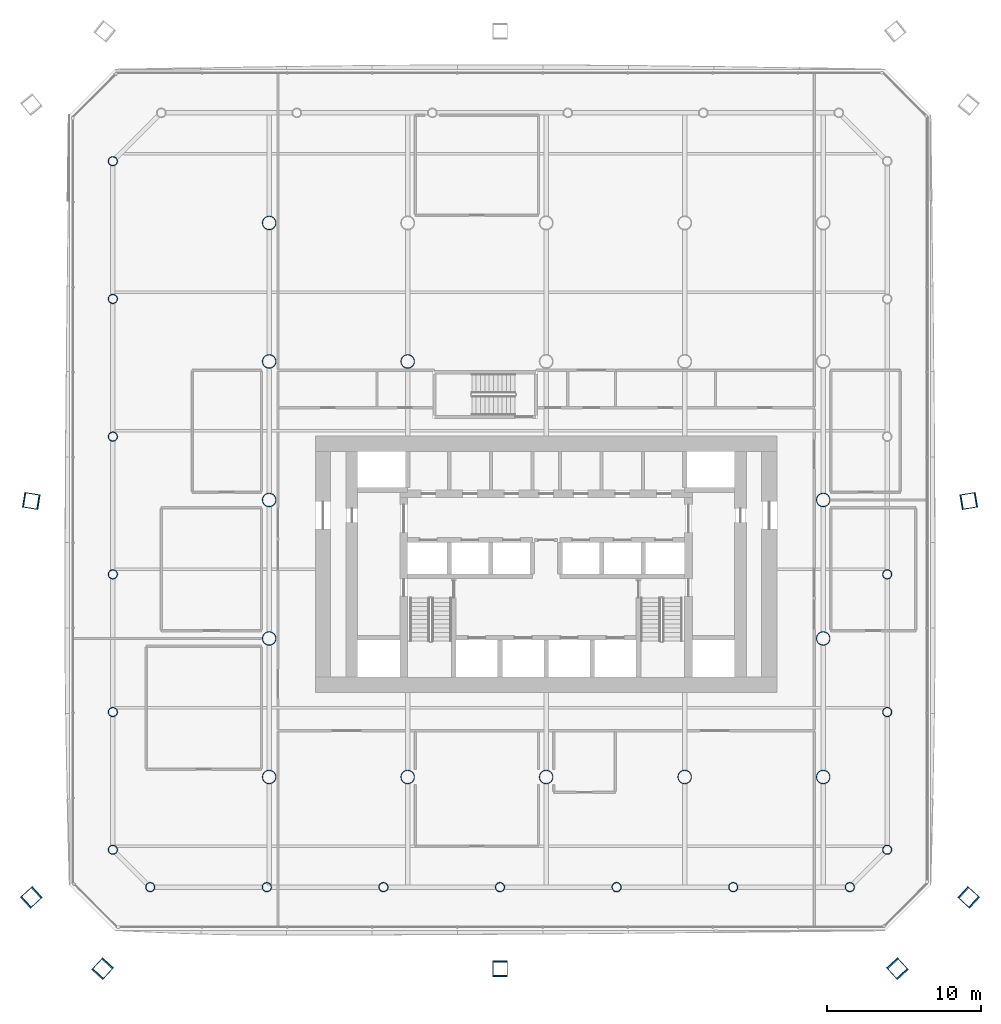
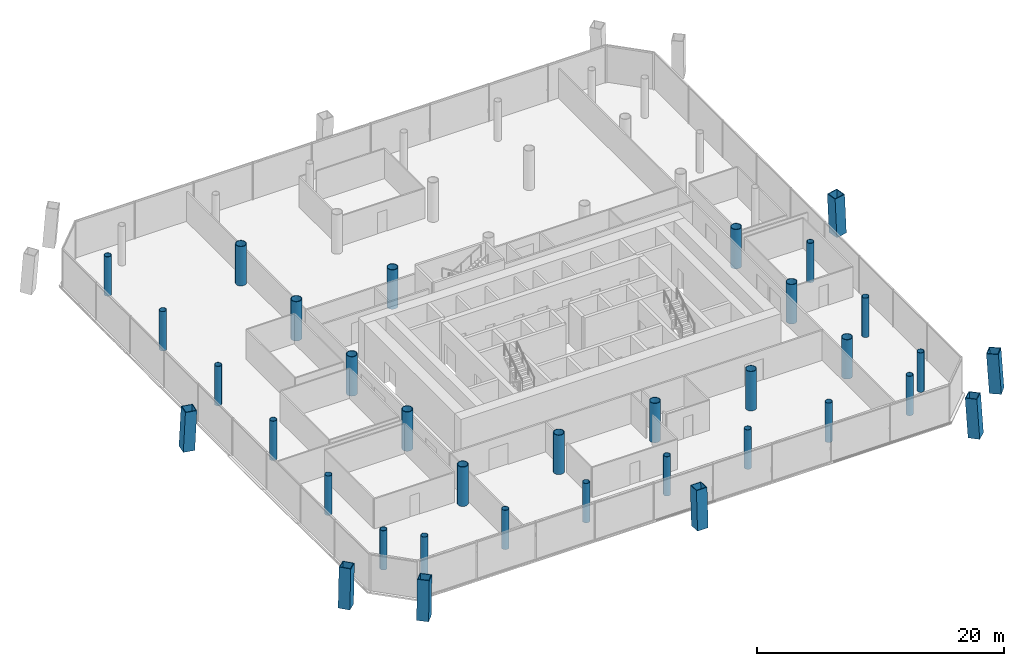
# One storey, part 1 of 22: 35 columns.
"""IFC4 building model written with IfcOpenShell, lengths in metres."""

from ifc_helpers import new_model, si_unit, direction, frame, origin, origin_2d, place, context, subcontext, project, spatial, hollow_rectangle, hollow_circle, extrude, material, material_profile, profile_set, type_object, element, save


model = new_model("IFC4")

# Units and contexts
model_context = context("Model", 3, precision=1e-05, world=origin(), true_north=direction((0.0, 1.0)))
body_context = subcontext(model_context, "Body", "Model", "MODEL_VIEW")
ifc_project = project(units=[si_unit("LENGTHUNIT", "METRE"), si_unit("AREAUNIT", "SQUARE_METRE"), si_unit("VOLUMEUNIT", "CUBIC_METRE"), si_unit("PLANEANGLEUNIT", "RADIAN"), si_unit("MASSUNIT", "GRAM", prefix="KILO")], contexts=[model_context])

# Site, building, storey
site_placement = place(None, origin())
site = spatial("IfcSite", under=ifc_project, at=site_placement, CompositionType="ELEMENT")
building_placement = place(site_placement, origin())
building = spatial("IfcBuilding", under=site, at=building_placement, Name="Tskaro Facet Tower", CompositionType="ELEMENT")
storey_placement = place(building_placement, frame((0.0, 0.0, 18.60009765625)))
storey = spatial("IfcBuildingStorey", under=building, at=storey_placement, Name="L03", CompositionType="ELEMENT", Elevation=18.60009765625)

# Columns
ifc_material_1 = material(Name="Steel S460M", Category="steel")
ifc_material_profile_1 = material_profile(ifc_material_1, hollow_rectangle(XDim=1.0, YDim=1.0, WallThickness=0.06005859375, at=origin_2d()), Name="BOX 1000x1000x60")
ifc_profile_set_1 = profile_set([ifc_material_profile_1], Name="Steel S460M")
column_type_1 = type_object("IfcColumnType", Name="BOX 1000x1000x60 mega column", PredefinedType="COLUMN", material=ifc_profile_set_1)
column_1_placement = place(storey_placement, frame((-28.847900390625, -30.485107421875, 0.0), z_axis=(0.042733391289, 0.046856788695, 0.997987123475), x_axis=(-0.738869281565, 0.673848784787, 0.0)))
element("IfcColumn", 1, at=column_1_placement, inside=storey, type_object=column_type_1, Name="BOX 1000x1000x60 MC01/1", PredefinedType="COLUMN", context=body_context, shape_type="SweptSolid", body=[
    extrude(hollow_rectangle(XDim=1.0, YDim=1.0, WallThickness=0.06005859375, at=origin_2d()), origin(), (0.0, 0.0, 1.0), 3.90771484375),
])
column_2_placement = place(storey_placement, frame((-3.0, -30.485107421875, 0.0), z_axis=(0.0, 0.046899630973, 0.998899606875), x_axis=(-1.0, 0.0, 0.0)))
element("IfcColumn", 2, at=column_2_placement, inside=storey, type_object=column_type_1, Name="BOX 1000x1000x60 MC02/1", PredefinedType="COLUMN", context=body_context, shape_type="SweptSolid", body=[
    extrude(hollow_rectangle(XDim=1.0, YDim=1.0, WallThickness=0.06005859375, at=origin_2d()), origin(), (0.0, 0.0, 1.0), 3.904296875),
])
for number, where, z_axis, x_axis, name in (
    (3, (22.847900390625, -30.485107421875, 0.0), (-0.042733391289, 0.046856788695, 0.997987123475), (-0.738869281565, -0.673848784787, 0.0), "BOX 1000x1000x60 MC03/1"),
    (4, (27.485107421875, -25.847900390625, 0.0), (-0.046856788695, 0.042733391289, 0.997987123475), (-0.673848784787, -0.738869281565, 0.0), "BOX 1000x1000x60 MC04/1"),
):
    element("IfcColumn", number, at=place(storey_placement, frame(where, z_axis=z_axis, x_axis=x_axis)), inside=storey, type_object=column_type_1, Name=name, PredefinedType="COLUMN", context=body_context, shape_type="SweptSolid", body=[
        extrude(hollow_rectangle(XDim=1.0, YDim=1.0, WallThickness=0.06005859375, at=origin_2d()), origin(), (0.0, 0.0, 1.0), 3.90771484375),
    ])
for number, where, z_axis, x_axis, name in (
    (5, (27.485107421875, -0.06005859375, 0.0), (-0.046898243748, -0.007691311975, 0.998870060845), (0.161838042552, -0.986817332632, 0.0), "BOX 1000x1000x60 MC05/1"),
    (6, (-33.485107421875, -0.06005859375, 0.0), (0.046898243748, -0.007691311975, 0.998870060845), (0.161838042552, 0.986817332632, 0.0), "BOX 1000x1000x60 MC11/1"),
):
    element("IfcColumn", number, at=place(storey_placement, frame(where, z_axis=z_axis, x_axis=x_axis)), inside=storey, type_object=column_type_1, Name=name, PredefinedType="COLUMN", context=body_context, shape_type="SweptSolid", body=[
        extrude(hollow_rectangle(XDim=1.0, YDim=1.0, WallThickness=0.06005859375, at=origin_2d()), origin(), (0.0, 0.0, 1.0), 3.904296875),
    ])
column_3_placement = place(storey_placement, frame((-33.485107421875, -25.847900390625, 0.0), z_axis=(0.046856788695, 0.042733391289, 0.997987123475), x_axis=(-0.673848784787, 0.738869281565, 0.0)))
element("IfcColumn", 7, at=column_3_placement, inside=storey, type_object=column_type_1, Name="BOX 1000x1000x60 MC12/1", PredefinedType="COLUMN", context=body_context, shape_type="SweptSolid", body=[
    extrude(hollow_rectangle(XDim=1.0, YDim=1.0, WallThickness=0.06005859375, at=origin_2d()), origin(), (0.0, 0.0, 1.0), 3.90771484375),
])
ifc_material_2 = material(Name="Steel S355J2H", Category="steel")
ifc_material_profile_2 = material_profile(ifc_material_2, hollow_circle(Radius=0.304931640625, WallThickness=0.030029296875, at=origin_2d()), Name="CHS 610x30")
ifc_profile_set_2 = profile_set([ifc_material_profile_2], Name="Steel S355J2H")
column_type_2 = type_object("IfcColumnType", Name="CHS 610x30 ring column", PredefinedType="COLUMN", material=ifc_profile_set_2)
for number, where, z_axis, x_axis, name in (
    (8, (-25.72900390625, -25.156982421875, 0.0), (0.0, 0.0, 1.0), (1.0, 0.0, 0.0), "CHS 610x30 RS-1/1"),
    (9, (-18.153076171875, -25.156982421875, 0.0), (0.0, 0.0, 1.0), (1.0, 0.0, 0.0), "CHS 610x30 RS-2/1"),
    (10, (-10.575927734375, -25.156982421875, 0.0), (0.0, 0.0, 1.0), (1.0, 0.0, 0.0), "CHS 610x30 RS-3/1"),
    (11, (-3.0, -25.156982421875, 0.0), (0.0, 0.0, 1.0), (1.0, 0.0, 0.0), "CHS 610x30 RS-4/1"),
    (12, (4.575927734375, -25.156982421875, 0.0), (0.0, 0.0, 1.0), (1.0, 0.0, 0.0), "CHS 610x30 RS-5/1"),
    (13, (12.153076171875, -25.156982421875, 0.0), (0.0, 0.0, 1.0), (1.0, 0.0, 0.0), "CHS 610x30 RS-6/1"),
    (14, (19.72900390625, -25.156982421875, 0.0), (0.0, 0.0, 1.0), (1.0, 0.0, 0.0), "CHS 610x30 RSE-1/1"),
    (15, (22.156982421875, -22.72900390625, 0.0), (0.0, 0.0, 1.0), (1.0, 0.0, 0.0), "CHS 610x30 RE-1/1"),
    (16, (22.156982421875, -13.781005859375, 0.0), (0.0, 0.0, 1.0), (1.0, 0.0, 0.0), "CHS 610x30 RE-2/1"),
    (17, (22.156982421875, -4.8330078125, 0.0), (0.0, 0.0, 1.0), (1.0, 0.0, 0.0), "CHS 610x30 RE-3/1"),
    (18, (-28.156982421875, 22.011962890625, 0.0), (0.0, 0.0, 1.0), (1.0, 0.0, 0.0), "CHS 610x30 RW-1/1"),
    (19, (-28.156982421875, 13.06396484375, 0.0), (0.0, 0.0, 1.0), (1.0, 0.0, 0.0), "CHS 610x30 RW-2/1"),
    (20, (-28.156982421875, 4.115966796875, 0.0), (0.0, 0.0, 1.0), (1.0, 0.0, 0.0), "CHS 610x30 RW-3/1"),
    (21, (-28.156982421875, -4.8330078125, 0.0), (0.0, 0.0, 1.0), (1.0, 0.0, 0.0), "CHS 610x30 RW-4/1"),
    (22, (-28.156982421875, -13.781005859375, 0.0), (0.0, 0.0, 1.0), (1.0, 0.0, 0.0), "CHS 610x30 RW-5/1"),
    (23, (-28.156982421875, -22.72900390625, 0.0), (0.0, 0.0, 1.0), (1.0, 0.0, 0.0), "CHS 610x30 RSW-1/1"),
):
    element("IfcColumn", number, at=place(storey_placement, frame(where, z_axis=z_axis, x_axis=x_axis)), inside=storey, type_object=column_type_2, Name=name, PredefinedType="COLUMN", context=body_context, shape_type="SweptSolid", body=[
        extrude(hollow_circle(Radius=0.304931640625, WallThickness=0.030029296875, at=origin_2d()), origin(), (0.0, 0.0, 1.0), 3.89990234375),
    ])
ifc_material_profile_3 = material_profile(ifc_material_2, hollow_circle(Radius=0.457275390625, WallThickness=0.050048828125, at=origin_2d()), Name="CHS 914.4x50")
ifc_profile_set_3 = profile_set([ifc_material_profile_3], Name="Steel S355J2H")
column_type_3 = type_object("IfcColumnType", Name="CHS 914.4x50 interior column", PredefinedType="COLUMN", material=ifc_profile_set_3)
for number, where, z_axis, x_axis, name in (
    (24, (-18.0, -18.0, 0.0), (0.0, 0.0, 1.0), (1.0, 0.0, 0.0), "CHS 914.4x50 C2B/1"),
    (25, (-18.0, -9.0, 0.0), (0.0, 0.0, 1.0), (1.0, 0.0, 0.0), "CHS 914.4x50 C2C/1"),
    (26, (-18.0, 0.0, 0.0), (0.0, 0.0, 1.0), (1.0, 0.0, 0.0), "CHS 914.4x50 C2D/1"),
    (27, (-18.0, 9.0, 0.0), (0.0, 0.0, 1.0), (1.0, 0.0, 0.0), "CHS 914.4x50 C2E/1"),
    (28, (-18.0, 18.0, 0.0), (0.0, 0.0, 1.0), (1.0, 0.0, 0.0), "CHS 914.4x50 C2F/1"),
    (29, (-9.0, -18.0, 0.0), (0.0, 0.0, 1.0), (1.0, 0.0, 0.0), "CHS 914.4x50 C3B/1"),
    (30, (-9.0, 9.0, 0.0), (0.0, 0.0, 1.0), (1.0, 0.0, 0.0), "CHS 914.4x50 C3E/1"),
    (31, (0.0, -18.0, 0.0), (0.0, 0.0, 1.0), (1.0, 0.0, 0.0), "CHS 914.4x50 C4B/1"),
    (32, (9.0, -18.0, 0.0), (0.0, 0.0, 1.0), (1.0, 0.0, 0.0), "CHS 914.4x50 C5B/1"),
    (33, (18.0, -18.0, 0.0), (0.0, 0.0, 1.0), (1.0, 0.0, 0.0), "CHS 914.4x50 C6B/1"),
    (34, (18.0, -9.0, 0.0), (0.0, 0.0, 1.0), (1.0, 0.0, 0.0), "CHS 914.4x50 C6C/1"),
    (35, (18.0, 0.0, 0.0), (0.0, 0.0, 1.0), (1.0, 0.0, 0.0), "CHS 914.4x50 C6D/1"),
):
    element("IfcColumn", number, at=place(storey_placement, frame(where, z_axis=z_axis, x_axis=x_axis)), inside=storey, type_object=column_type_3, Name=name, PredefinedType="COLUMN", context=body_context, shape_type="SweptSolid", body=[
        extrude(hollow_circle(Radius=0.457275390625, WallThickness=0.050048828125, at=origin_2d()), origin(), (0.0, 0.0, 1.0), 3.89990234375),
    ])

save(model, "model.ifc")
